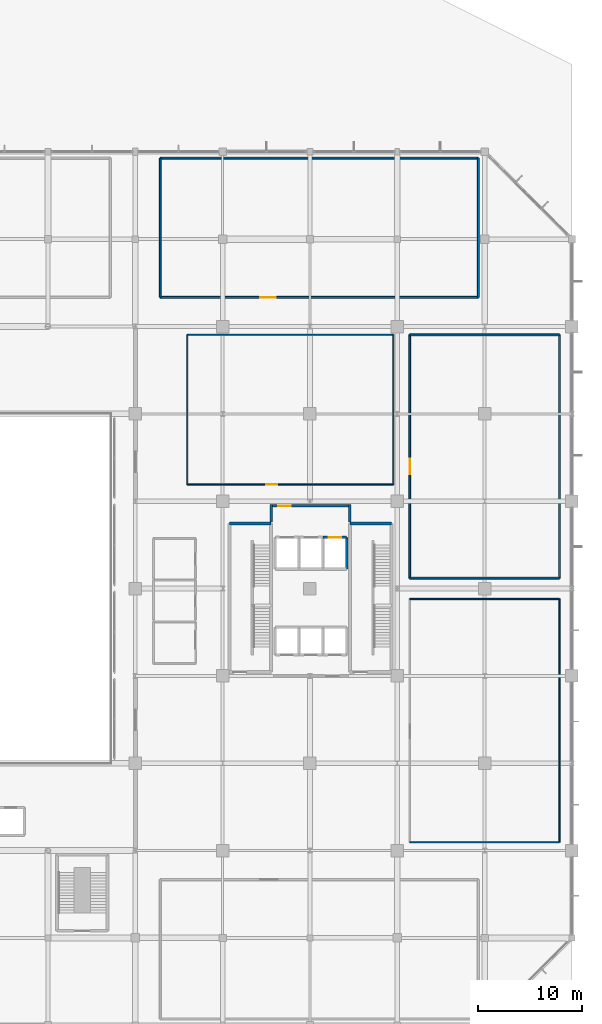
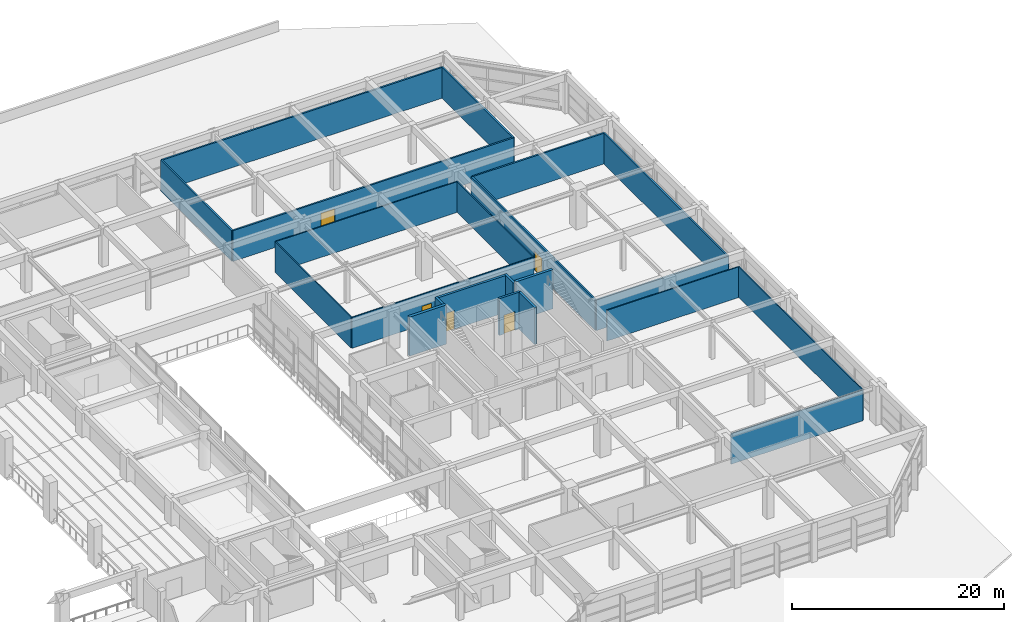
# One storey, part 50 of 60: 22 walls, 5 doors, 5 openings.
"""IFC4 building model written with IfcOpenShell, lengths in metres."""

from ifc_helpers import new_model, si_unit, direction, frame, frame_2d, origin, place, context, subcontext, project, spatial, rectangle, extrude, material, layer, layer_set, type_object, element, fill, save


model = new_model("IFC4")

# Units and contexts
model_context = context("Model", 3, precision=1e-05, world=origin(), true_north=direction((0.0, 1.0)))
body_context = subcontext(model_context, "Body", "Model", "MODEL_VIEW")
ifc_project = project(units=[si_unit("LENGTHUNIT", "METRE"), si_unit("AREAUNIT", "SQUARE_METRE"), si_unit("VOLUMEUNIT", "CUBIC_METRE"), si_unit("PLANEANGLEUNIT", "RADIAN"), si_unit("MASSUNIT", "GRAM", prefix="KILO")], contexts=[model_context])

# Site, building, storey
site_placement = place(None, origin())
site = spatial("IfcSite", under=ifc_project, at=site_placement, CompositionType="ELEMENT")
building_placement = place(site_placement, origin())
building = spatial("IfcBuilding", under=site, at=building_placement, Name="Xuanlan Plaza Opera House", CompositionType="ELEMENT")
storey_placement = place(building_placement, frame((0.0, 0.0, 9.89990234375)))
storey = spatial("IfcBuildingStorey", under=building, at=storey_placement, Name="L02", CompositionType="ELEMENT", Elevation=9.89990234375)

# Walls
ifc_material_1 = material(Name="Gypsum Board and Galvanised Steel Studs", Category="gypsum")
ifc_layer_1 = layer(ifc_material_1, 0.179931640625)
ifc_layer_set_1 = layer_set([ifc_layer_1], Name="Gypsum Board and Galvanised Steel Studs")
wall_type_1 = type_object("IfcWallType", Name="INT-WL-PW-02", PredefinedType="PARTITIONING", material=ifc_layer_set_1)
for number, where, z_axis, x_axis, name in (
    (1, (152.39990234375, 59.800048828125, 0.0), (0.0, 0.0, 1.0), (1.0, 0.0, 0.0), "Symposium Meeting Suite North Wall South"),
    (2, (152.39990234375, 83.199951171875, 0.0), (0.0, 0.0, 1.0), (1.0, 0.0, 0.0), "Symposium Meeting Suite North Wall North"),
):
    element("IfcWall", number, at=place(storey_placement, frame(where, z_axis=z_axis, x_axis=x_axis)), inside=storey, type_object=wall_type_1, Name=name, PredefinedType="PARTITIONING", context=body_context, shape_type="SweptSolid", body=[
        extrude(rectangle(XDim=14.400146484375, YDim=0.179931640625, at=frame_2d((7.2001953125, 0.0))), origin(), (0.0, 0.0, 1.0), 3.5400390625),
    ])

# Wall, opening, door
wall_1_placement = place(storey_placement, frame((152.39990234375, 59.800048828125, 0.0), z_axis=(0.0, 0.0, 1.0), x_axis=(0.0, 1.0, 0.0)))
wall_1 = element("IfcWall", 3, at=wall_1_placement, inside=storey, type_object=wall_type_1, Name="Symposium Meeting Suite North Wall West", PredefinedType="PARTITIONING", context=body_context, shape_type="SweptSolid", body=[
    extrude(rectangle(XDim=23.39990234375, YDim=0.179931640625, at=frame_2d((11.699951171875, 0.0))), origin(), (0.0, 0.0, 1.0), 3.5400390625),
])
opening_1_placement = place(wall_1_placement, frame((10.0, 0.0, 0.0)))
opening_1 = element("IfcOpeningElement", 4, at=opening_1_placement, cuts=wall_1, Name="Opening D-03", PredefinedType="OPENING", context=body_context, shape_type="SweptSolid", body=[
    extrude(rectangle(XDim=1.5, YDim=2.199951171875, at=frame_2d((0.75, 1.10009765625))), frame((0.0, 0.099853515625, 0.0), z_axis=(0.0, -1.0, 0.0), x_axis=(1.0, 0.0, 0.0)), (0.0, 0.0, 1.0), 0.199951171875),
])
ifc_material_2 = material(Name="Walnut Hardwood Timber", Category="wood")
door_type_1 = type_object("IfcDoorType", Name="INT-DR-D-03", OperationType="DOUBLE_DOOR_SINGLE_SWING", PredefinedType="DOOR", material=ifc_material_2)
door_1_placement = place(opening_1_placement, origin())
door_1 = element("IfcDoor", 5, at=door_1_placement, inside=storey, type_object=door_type_1, Name="Symposium Meeting Suite North Door 1", OperationType="DOUBLE_DOOR_SINGLE_SWING", OverallHeight=2.199951171875, OverallWidth=1.5, PredefinedType="DOOR", context=body_context, shape_type="SweptSolid", body=[
    extrude(rectangle(XDim=1.5, YDim=2.199951171875, at=frame_2d((0.75, 1.10009765625))), frame((0.0, 0.02490234375, 0.0), z_axis=(0.0, -1.0, 0.0), x_axis=(1.0, 0.0, 0.0)), (0.0, 0.0, 1.0), 0.050048828125),
])
fill(opening_1, door_1)

# Wall
wall_2_placement = place(storey_placement, frame((166.800048828125, 59.800048828125, 0.0), z_axis=(0.0, 0.0, 1.0), x_axis=(0.0, 1.0, 0.0)))
element("IfcWall", 6, at=wall_2_placement, inside=storey, type_object=wall_type_1, Name="Symposium Meeting Suite North Wall East", PredefinedType="PARTITIONING", context=body_context, shape_type="SweptSolid", body=[
    extrude(rectangle(XDim=23.39990234375, YDim=0.179931640625, at=frame_2d((11.699951171875, 0.0))), origin(), (0.0, 0.0, 1.0), 3.5400390625),
])

# Wall, opening, door
wall_3_placement = place(storey_placement, frame((128.39990234375, 86.800048828125, 0.0), z_axis=(0.0, 0.0, 1.0), x_axis=(1.0, 0.0, 0.0)))
wall_3 = element("IfcWall", 7, at=wall_3_placement, inside=storey, type_object=wall_type_1, Name="Broadcast Media Archive Wall South", PredefinedType="PARTITIONING", context=body_context, shape_type="SweptSolid", body=[
    extrude(rectangle(XDim=30.60009765625, YDim=0.179931640625, at=frame_2d((15.300048828125, 0.0))), origin(), (0.0, 0.0, 1.0), 3.5400390625),
])
opening_2_placement = place(wall_3_placement, frame((9.60009765625, 0.0, 0.0)))
opening_2 = element("IfcOpeningElement", 8, at=opening_2_placement, cuts=wall_3, Name="Opening D-03", PredefinedType="OPENING", context=body_context, shape_type="SweptSolid", body=[
    extrude(rectangle(XDim=1.5, YDim=2.199951171875, at=frame_2d((0.75, 1.10009765625))), frame((0.0, 0.099853515625, 0.0), z_axis=(0.0, -1.0, 0.0), x_axis=(1.0, 0.0, 0.0)), (0.0, 0.0, 1.0), 0.199951171875),
])
door_2_placement = place(opening_2_placement, origin())
door_2 = element("IfcDoor", 9, at=door_2_placement, inside=storey, type_object=door_type_1, Name="Broadcast Media Archive Door 1", OperationType="DOUBLE_DOOR_SINGLE_SWING", OverallHeight=2.199951171875, OverallWidth=1.5, PredefinedType="DOOR", context=body_context, shape_type="SweptSolid", body=[
    extrude(rectangle(XDim=1.5, YDim=2.199951171875, at=frame_2d((0.75, 1.10009765625))), frame((0.0, 0.02490234375, 0.0), z_axis=(0.0, -1.0, 0.0), x_axis=(1.0, 0.0, 0.0)), (0.0, 0.0, 1.0), 0.050048828125),
])
fill(opening_2, door_2)

# Walls
wall_4_placement = place(storey_placement, frame((128.39990234375, 100.199951171875, 0.0), z_axis=(0.0, 0.0, 1.0), x_axis=(1.0, 0.0, 0.0)))
element("IfcWall", 10, at=wall_4_placement, inside=storey, type_object=wall_type_1, Name="Broadcast Media Archive Wall North", PredefinedType="PARTITIONING", context=body_context, shape_type="SweptSolid", body=[
    extrude(rectangle(XDim=30.60009765625, YDim=0.179931640625, at=frame_2d((15.300048828125, 0.0))), origin(), (0.0, 0.0, 1.0), 3.5400390625),
])
for number, where, z_axis, x_axis, name in (
    (11, (128.39990234375, 86.800048828125, 0.0), (0.0, 0.0, 1.0), (0.0, 1.0, 0.0), "Broadcast Media Archive Wall West"),
    (12, (159.0, 86.800048828125, 0.0), (0.0, 0.0, 1.0), (0.0, 1.0, 0.0), "Broadcast Media Archive Wall East"),
):
    element("IfcWall", number, at=place(storey_placement, frame(where, z_axis=z_axis, x_axis=x_axis)), inside=storey, type_object=wall_type_1, Name=name, PredefinedType="PARTITIONING", context=body_context, shape_type="SweptSolid", body=[
        extrude(rectangle(XDim=13.39990234375, YDim=0.179931640625, at=frame_2d((6.699951171875, 0.0))), origin(), (0.0, 0.0, 1.0), 3.5400390625),
    ])
ifc_layer_2 = layer(ifc_material_1, 0.1201171875)
ifc_layer_set_2 = layer_set([ifc_layer_2], Name="Gypsum Board and Galvanised Steel Studs")
wall_type_2 = type_object("IfcWallType", Name="INT-WL-PW-04", PredefinedType="PARTITIONING", material=ifc_layer_set_2)
for number, where, z_axis, x_axis, name in (
    (13, (152.39990234375, 34.39990234375, 0.0), (0.0, 0.0, 1.0), (1.0, 0.0, 0.0), "Symposium Meeting Suite South Wall South"),
    (14, (152.39990234375, 57.800048828125, 0.0), (0.0, 0.0, 1.0), (1.0, 0.0, 0.0), "Symposium Meeting Suite South Wall North"),
):
    element("IfcWall", number, at=place(storey_placement, frame(where, z_axis=z_axis, x_axis=x_axis)), inside=storey, type_object=wall_type_2, Name=name, PredefinedType="PARTITIONING", context=body_context, shape_type="SweptSolid", body=[
        extrude(rectangle(XDim=14.400146484375, YDim=0.1201171875, at=frame_2d((7.2001953125, 0.0))), origin(), (0.0, 0.0, 1.0), 3.5400390625),
    ])
wall_5_placement = place(storey_placement, frame((166.800048828125, 34.39990234375, 0.0), z_axis=(0.0, 0.0, 1.0), x_axis=(0.0, 1.0, 0.0)))
element("IfcWall", 15, at=wall_5_placement, inside=storey, type_object=wall_type_2, Name="Symposium Meeting Suite South Wall East", PredefinedType="PARTITIONING", context=body_context, shape_type="SweptSolid", body=[
    extrude(rectangle(XDim=23.400146484375, YDim=0.1201171875, at=frame_2d((11.7001953125, 0.0))), origin(), (0.0, 0.0, 1.0), 3.5400390625),
])

# Wall, opening, door
wall_6_placement = place(storey_placement, frame((131.0, 68.800048828125, 0.0), z_axis=(0.0, 0.0, 1.0), x_axis=(1.0, 0.0, 0.0)))
wall_6 = element("IfcWall", 16, at=wall_6_placement, inside=storey, type_object=wall_type_2, Name="Festival Production Office Wall South", PredefinedType="PARTITIONING", context=body_context, shape_type="SweptSolid", body=[
    extrude(rectangle(XDim=19.800048828125, YDim=0.1201171875, at=frame_2d((9.89990234375, 0.0))), origin(), (0.0, 0.0, 1.0), 3.5400390625),
])
opening_3_placement = place(wall_6_placement, frame((7.60009765625, 0.0, 0.0)))
opening_3 = element("IfcOpeningElement", 17, at=opening_3_placement, cuts=wall_6, Name="Opening D-16", PredefinedType="OPENING", context=body_context, shape_type="SweptSolid", body=[
    extrude(rectangle(XDim=1.050048828125, YDim=2.159912109375, at=frame_2d((0.52490234375, 1.080078125))), frame((0.0, 0.070068359375, 0.0), z_axis=(0.0, -1.0, 0.0), x_axis=(1.0, 0.0, 0.0)), (0.0, 0.0, 1.0), 0.14013671875),
])
ifc_material_3 = material(Name="Oak Hardwood Timber", Category="wood")
door_type_2 = type_object("IfcDoorType", Name="INT-DR-D-16", OperationType="NOTDEFINED", PredefinedType="DOOR", material=ifc_material_3)
door_3_placement = place(opening_3_placement, origin())
door_3 = element("IfcDoor", 18, at=door_3_placement, inside=storey, type_object=door_type_2, Name="Festival Production Office Door 1", OperationType="SINGLE_SWING_LEFT", OverallHeight=2.159912109375, OverallWidth=1.050048828125, PredefinedType="DOOR", context=body_context, shape_type="SweptSolid", body=[
    extrude(rectangle(XDim=1.050048828125, YDim=2.159912109375, at=frame_2d((0.52490234375, 1.080078125))), frame((0.0, 0.02490234375, 0.0), z_axis=(0.0, -1.0, 0.0), x_axis=(1.0, 0.0, 0.0)), (0.0, 0.0, 1.0), 0.050048828125),
])
fill(opening_3, door_3)

# Walls
wall_7_placement = place(storey_placement, frame((131.0, 83.199951171875, 0.0), z_axis=(0.0, 0.0, 1.0), x_axis=(1.0, 0.0, 0.0)))
element("IfcWall", 19, at=wall_7_placement, inside=storey, type_object=wall_type_2, Name="Festival Production Office Wall North", PredefinedType="PARTITIONING", context=body_context, shape_type="SweptSolid", body=[
    extrude(rectangle(XDim=19.800048828125, YDim=0.1201171875, at=frame_2d((9.89990234375, 0.0))), origin(), (0.0, 0.0, 1.0), 3.5400390625),
])
for number, where, z_axis, x_axis, name in (
    (20, (131.0, 68.800048828125, 0.0), (0.0, 0.0, 1.0), (0.0, 1.0, 0.0), "Festival Production Office Wall West"),
    (21, (150.800048828125, 68.800048828125, 0.0), (0.0, 0.0, 1.0), (0.0, 1.0, 0.0), "Festival Production Office Wall East"),
):
    element("IfcWall", number, at=place(storey_placement, frame(where, z_axis=z_axis, x_axis=x_axis)), inside=storey, type_object=wall_type_2, Name=name, PredefinedType="PARTITIONING", context=body_context, shape_type="SweptSolid", body=[
        extrude(rectangle(XDim=14.39990234375, YDim=0.1201171875, at=frame_2d((7.199951171875, 0.0))), origin(), (0.0, 0.0, 1.0), 3.5400390625),
    ])

# Wall, opening, door
ifc_material_4 = material(Name="Concrete C40", Category="concrete")
ifc_layer_3 = layer(ifc_material_4, 0.25)
ifc_layer_set_3 = layer_set([ifc_layer_3], Name="Concrete C40")
wall_type_3 = type_object("IfcWallType", Name="INT-WL-SW-LF1", PredefinedType="SHEAR", material=ifc_layer_set_3)
wall_8_placement = place(storey_placement, frame((144.074951171875, 63.72509765625, 0.0), z_axis=(0.0, 0.0, 1.0), x_axis=(1.0, 0.0, 0.0)))
wall_8 = element("IfcWall", 22, at=wall_8_placement, inside=storey, type_object=wall_type_3, Name="Lift Shaft Wall LF-FF3 L02 North", PredefinedType="SHEAR", context=body_context, shape_type="SweptSolid", body=[
    extrude(rectangle(XDim=2.25, YDim=0.25, at=frame_2d((1.125, 0.0))), origin(), (0.0, 0.0, 1.0), 4.239990234375),
])
opening_4_placement = place(wall_8_placement, frame((0.52490234375, 0.0, 0.0)))
opening_4 = element("IfcOpeningElement", 23, at=opening_4_placement, cuts=wall_8, Name="Opening LD-FF3-L02", PredefinedType="OPENING", context=body_context, shape_type="SweptSolid", body=[
    extrude(rectangle(XDim=1.199951171875, YDim=2.179931640625, at=frame_2d((0.60009765625, 1.08984375))), frame((0.0, 0.135009765625, 0.0), z_axis=(0.0, -1.0, 0.0), x_axis=(1.0, 0.0, 0.0)), (0.0, 0.0, 1.0), 0.27001953125),
])
ifc_material_5 = material(Name="Stainless Steel S30408", Category="steel")
door_type_3 = type_object("IfcDoorType", Name="INT-DR-LD-02", OperationType="DOUBLE_DOOR_SLIDING", PredefinedType="DOOR", material=ifc_material_5)
door_4_placement = place(opening_4_placement, origin())
door_4 = element("IfcDoor", 24, at=door_4_placement, inside=storey, type_object=door_type_3, Name="Lift Sliding Landing Door LF-FF3 L02", OperationType="DOUBLE_DOOR_SLIDING", OverallHeight=2.179931640625, OverallWidth=1.199951171875, PredefinedType="DOOR", context=body_context, shape_type="SweptSolid", body=[
    extrude(rectangle(XDim=1.199951171875, YDim=2.179931640625, at=frame_2d((0.60009765625, 1.08984375))), frame((0.0, 0.02490234375, 0.0), z_axis=(0.0, -1.0, 0.0), x_axis=(1.0, 0.0, 0.0)), (0.0, 0.0, 1.0), 0.050048828125),
])
fill(opening_4, door_4)

# Walls
wall_9_placement = place(storey_placement, frame((146.324951171875, 60.675048828125, 0.0), z_axis=(0.0, 0.0, 1.0), x_axis=(0.0, 1.0, 0.0)))
element("IfcWall", 25, at=wall_9_placement, inside=storey, type_object=wall_type_3, Name="Lift Shaft Wall LF-FF3 L02 East", PredefinedType="SHEAR", context=body_context, shape_type="SweptSolid", body=[
    extrude(rectangle(XDim=3.050048828125, YDim=0.25, at=frame_2d((1.52490234375, 0.0))), origin(), (0.0, 0.0, 1.0), 4.239990234375),
])
for number, where, z_axis, x_axis, name in (
    (26, (139.074951171875, 65.199951171875, 0.0), (0.0, 0.0, 1.0), (0.0, 1.0, 0.0), "Firefighting Lift Lobby Enclosure Wall L02 W"),
    (27, (146.625, 65.199951171875, 0.0), (0.0, 0.0, 1.0), (0.0, 1.0, 0.0), "Firefighting Lift Lobby Enclosure Wall L02 E"),
):
    element("IfcWall", number, at=place(storey_placement, frame(where, z_axis=z_axis, x_axis=x_axis)), inside=storey, type_object=wall_type_3, Name=name, PredefinedType="SHEAR", context=body_context, shape_type="SweptSolid", body=[
        extrude(rectangle(XDim=1.675048828125, YDim=0.25, at=frame_2d((0.83740234375, 0.0))), origin(), (0.0, 0.0, 1.0), 4.239990234375),
    ])

# Wall, opening, door
wall_10_placement = place(storey_placement, frame((139.199951171875, 66.75, 0.0), z_axis=(0.0, 0.0, 1.0), x_axis=(1.0, 0.0, 0.0)))
wall_10 = element("IfcWall", 28, at=wall_10_placement, inside=storey, type_object=wall_type_3, Name="Firefighting Lift Lobby Wall North", PredefinedType="SHEAR", context=body_context, shape_type="SweptSolid", body=[
    extrude(rectangle(XDim=7.300048828125, YDim=0.25, at=frame_2d((3.64990234375, 0.0))), origin(), (0.0, 0.0, 1.0), 4.239990234375),
])
opening_5_placement = place(wall_10_placement, frame((0.550048828125, 0.0, 0.0)))
opening_5 = element("IfcOpeningElement", 29, at=opening_5_placement, cuts=wall_10, Name="Opening FD-02", PredefinedType="OPENING", context=body_context, shape_type="SweptSolid", body=[
    extrude(rectangle(XDim=1.199951171875, YDim=2.14990234375, at=frame_2d((0.60009765625, 1.074951171875))), frame((0.0, 0.135009765625, 0.0), z_axis=(0.0, -1.0, 0.0), x_axis=(1.0, 0.0, 0.0)), (0.0, 0.0, 1.0), 0.27001953125),
])
ifc_material_6 = material(Name="Galvanised Steel Q235B", Category="steel")
door_type_4 = type_object("IfcDoorType", Name="INT-DR-FD-02", OperationType="NOTDEFINED", PredefinedType="DOOR", material=ifc_material_6)
door_5_placement = place(opening_5_placement, origin())
door_5 = element("IfcDoor", 30, at=door_5_placement, inside=storey, type_object=door_type_4, Name="Firefighting Lift Lobby Door 1", OperationType="SINGLE_SWING_RIGHT", OverallHeight=2.14990234375, OverallWidth=1.199951171875, PredefinedType="DOOR", context=body_context, shape_type="SweptSolid", body=[
    extrude(rectangle(XDim=1.199951171875, YDim=2.14990234375, at=frame_2d((0.60009765625, 1.074951171875))), frame((0.0, 0.02490234375, 0.0), z_axis=(0.0, -1.0, 0.0), x_axis=(1.0, 0.0, 0.0)), (0.0, 0.0, 1.0), 0.050048828125),
])
fill(opening_5, door_5)

# Walls
ifc_layer_4 = layer(ifc_material_4, 0.300048828125)
ifc_layer_set_4 = layer_set([ifc_layer_4], Name="Concrete C40")
wall_type_4 = type_object("IfcWallType", Name="INT-WL-SW-ST1", PredefinedType="SHEAR", material=ifc_layer_set_4)
for number, where, z_axis, x_axis, name in (
    (31, (135.050048828125, 65.050048828125, 0.0), (0.0, 0.0, 1.0), (1.0, 0.0, 0.0), "Stair Core Wall ST-T1 L02 North"),
    (32, (146.64990234375, 65.050048828125, 0.0), (0.0, 0.0, 1.0), (1.0, 0.0, 0.0), "Stair Core Wall ST-T2 L02 North"),
):
    element("IfcWall", number, at=place(storey_placement, frame(where, z_axis=z_axis, x_axis=x_axis)), inside=storey, type_object=wall_type_4, Name=name, PredefinedType="SHEAR", context=body_context, shape_type="SweptSolid", body=[
        extrude(rectangle(XDim=4.0, YDim=0.300048828125, at=frame_2d((2.0, 0.0))), origin(), (0.0, 0.0, 1.0), 4.5),
    ])

save(model, "model.ifc")
